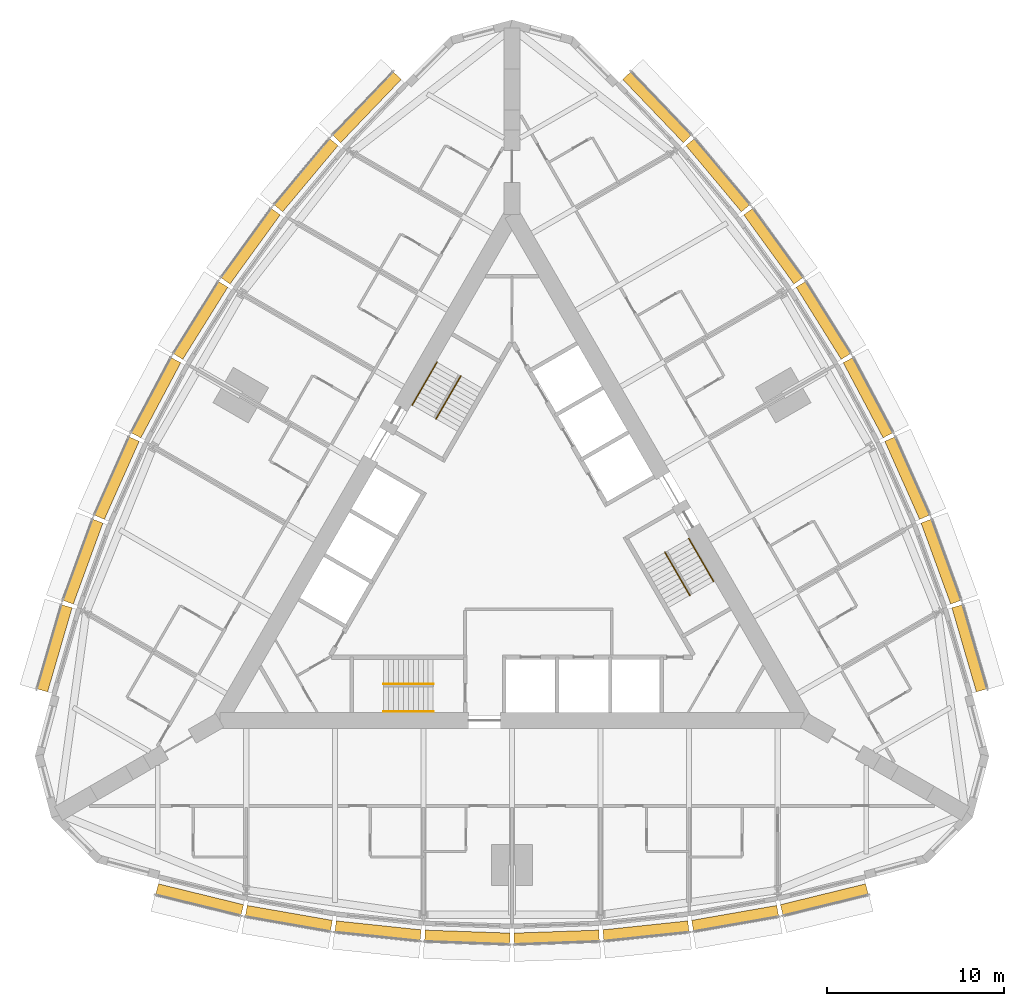
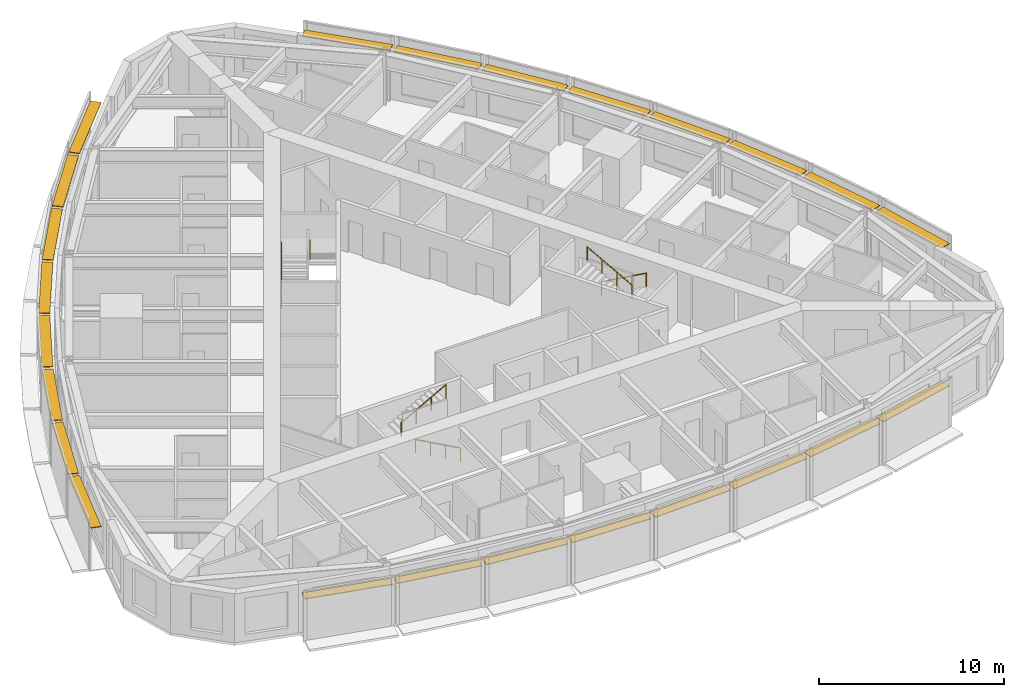
# One storey, part 14 of 14: 24 shading devices, 6 railings.
"""IFC4 building model written with IfcOpenShell, lengths in metres."""

from ifc_helpers import new_model, si_unit, direction, frame, origin, origin_2d, place, context, subcontext, project, spatial, rectangle, circle, extrude, material, type_object, element, save


model = new_model("IFC4")

# Units and contexts
model_context = context("Model", 3, precision=1e-05, world=origin(), true_north=direction((0.0, 1.0)))
body_context = subcontext(model_context, "Body", "Model", "MODEL_VIEW")
ifc_project = project(units=[si_unit("LENGTHUNIT", "METRE"), si_unit("AREAUNIT", "SQUARE_METRE"), si_unit("VOLUMEUNIT", "CUBIC_METRE"), si_unit("PLANEANGLEUNIT", "RADIAN"), si_unit("MASSUNIT", "GRAM", prefix="KILO")], contexts=[model_context])

# Site, building, storey
site_placement = place(None, origin())
site = spatial("IfcSite", under=ifc_project, at=site_placement, CompositionType="ELEMENT")
building_placement = place(site_placement, origin())
building = spatial("IfcBuilding", under=site, at=building_placement, Name="Trikona Tower", CompositionType="ELEMENT")
storey_placement = place(building_placement, frame((0.0, 0.0, 128.300048828125)))
storey = spatial("IfcBuildingStorey", under=building, at=storey_placement, Name="L33", CompositionType="ELEMENT", Elevation=128.300048828125)

# Shading devices
ifc_material_1 = material(Name="Aluminium louvre blade, pale anodised", Category="aluminium")
shading_device_type = type_object("IfcShadingDeviceType", Name="Cavity louvre 600", PredefinedType="USERDEFINED", material=ifc_material_1)
shading_device_1_placement = place(storey_placement, frame((-17.63330078125, -19.631591796875, 2.77490234375), z_axis=(0.0, 0.0, 1.0), x_axis=(0.971274411564, -0.237962218516, 0.0)))
element("IfcShadingDevice", 1, at=shading_device_1_placement, inside=storey, type_object=shading_device_type, Name="Cavity louvre L33-00", ObjectType="LOUVRE", PredefinedType="USERDEFINED", context=body_context, shape_type="SweptSolid", body=[
    extrude(rectangle(XDim=4.947998046875, YDim=0.60009765625, at=origin_2d()), origin(), (0.0, 0.0, 1.0), 0.050048828125),
])
shading_device_2_placement = place(storey_placement, frame((-12.596435546875, -20.689208984375, 2.77490234375), z_axis=(0.0, 0.0, 1.0), x_axis=(0.985030604067, -0.172379549401, 0.0)))
element("IfcShadingDevice", 2, at=shading_device_2_placement, inside=storey, type_object=shading_device_type, Name="Cavity louvre L33-01", ObjectType="LOUVRE", PredefinedType="USERDEFINED", context=body_context, shape_type="SweptSolid", body=[
    extrude(rectangle(XDim=4.8759765625, YDim=0.60009765625, at=origin_2d()), origin(), (0.0, 0.0, 1.0), 0.050048828125),
])
shading_device_3_placement = place(storey_placement, frame((-7.55859375, -21.39453125, 2.77490234375), z_axis=(0.0, 0.0, 1.0), x_axis=(0.994532653854, -0.104426052392, 0.0)))
element("IfcShadingDevice", 3, at=shading_device_3_placement, inside=storey, type_object=shading_device_type, Name="Cavity louvre L33-02", ObjectType="LOUVRE", PredefinedType="USERDEFINED", context=body_context, shape_type="SweptSolid", body=[
    extrude(rectangle(XDim=4.827392578125, YDim=0.60009765625, at=origin_2d()), origin(), (0.0, 0.0, 1.0), 0.050048828125),
])
for number, where, z_axis, x_axis, name in (
    (4, (-2.51953125, -21.747314453125, 2.77490234375), (0.0, 0.0, 1.0), (0.999388082937, -0.034977988567, 0.0), "Cavity louvre L33-03"),
    (5, (2.51953125, -21.747314453125, 2.77490234375), (0.0, 0.0, 1.0), (0.999388082937, 0.034977988567, 0.0), "Cavity louvre L33-04"),
):
    element("IfcShadingDevice", number, at=place(storey_placement, frame(where, z_axis=z_axis, x_axis=x_axis)), inside=storey, type_object=shading_device_type, Name=name, ObjectType="LOUVRE", PredefinedType="USERDEFINED", context=body_context, shape_type="SweptSolid", body=[
        extrude(rectangle(XDim=4.802978515625, YDim=0.60009765625, at=origin_2d()), origin(), (0.0, 0.0, 1.0), 0.050048828125),
    ])
shading_device_4_placement = place(storey_placement, frame((7.55859375, -21.39453125, 2.77490234375), z_axis=(0.0, 0.0, 1.0), x_axis=(0.994532653854, 0.104426052392, 0.0)))
element("IfcShadingDevice", 6, at=shading_device_4_placement, inside=storey, type_object=shading_device_type, Name="Cavity louvre L33-05", ObjectType="LOUVRE", PredefinedType="USERDEFINED", context=body_context, shape_type="SweptSolid", body=[
    extrude(rectangle(XDim=4.827392578125, YDim=0.60009765625, at=origin_2d()), origin(), (0.0, 0.0, 1.0), 0.050048828125),
])
shading_device_5_placement = place(storey_placement, frame((12.596435546875, -20.689208984375, 2.77490234375), z_axis=(0.0, 0.0, 1.0), x_axis=(0.985030604067, 0.172379549401, 0.0)))
element("IfcShadingDevice", 7, at=shading_device_5_placement, inside=storey, type_object=shading_device_type, Name="Cavity louvre L33-06", ObjectType="LOUVRE", PredefinedType="USERDEFINED", context=body_context, shape_type="SweptSolid", body=[
    extrude(rectangle(XDim=4.8759765625, YDim=0.60009765625, at=origin_2d()), origin(), (0.0, 0.0, 1.0), 0.050048828125),
])
shading_device_6_placement = place(storey_placement, frame((17.63330078125, -19.631591796875, 2.77490234375), z_axis=(0.0, 0.0, 1.0), x_axis=(0.971274411564, 0.237962218516, 0.0)))
element("IfcShadingDevice", 8, at=shading_device_6_placement, inside=storey, type_object=shading_device_type, Name="Cavity louvre L33-07", ObjectType="LOUVRE", PredefinedType="USERDEFINED", context=body_context, shape_type="SweptSolid", body=[
    extrude(rectangle(XDim=4.947998046875, YDim=0.60009765625, at=origin_2d()), origin(), (0.0, 0.0, 1.0), 0.050048828125),
])
shading_device_7_placement = place(storey_placement, frame((25.818115234375, -5.455078125, 2.77490234375), z_axis=(0.0, 0.0, 1.0), x_axis=(-0.279554203664, 0.960129911634, 0.0)))
element("IfcShadingDevice", 9, at=shading_device_7_placement, inside=storey, type_object=shading_device_type, Name="Cavity louvre L33-12", ObjectType="LOUVRE", PredefinedType="USERDEFINED", context=body_context, shape_type="SweptSolid", body=[
    extrude(rectangle(XDim=4.94775390625, YDim=0.60009765625, at=origin_2d()), origin(), (0.0, 0.0, 1.0), 0.050048828125),
])
shading_device_8_placement = place(storey_placement, frame((24.2158203125, -0.564208984375, 2.77490234375), z_axis=(0.0, 0.0, 1.0), x_axis=(-0.343220397324, 0.939254895575, 0.0)))
element("IfcShadingDevice", 10, at=shading_device_8_placement, inside=storey, type_object=shading_device_type, Name="Cavity louvre L33-13", ObjectType="LOUVRE", PredefinedType="USERDEFINED", context=body_context, shape_type="SweptSolid", body=[
    extrude(rectangle(XDim=4.8759765625, YDim=0.60009765625, at=origin_2d()), origin(), (0.0, 0.0, 1.0), 0.050048828125),
])
shading_device_9_placement = place(storey_placement, frame((22.3076171875, 4.151611328125, 2.77490234375), z_axis=(0.0, 0.0, 1.0), x_axis=(-0.406843467615, 0.913497888809, 0.0)))
element("IfcShadingDevice", 11, at=shading_device_9_placement, inside=storey, type_object=shading_device_type, Name="Cavity louvre L33-14", ObjectType="LOUVRE", PredefinedType="USERDEFINED", context=body_context, shape_type="SweptSolid", body=[
    extrude(rectangle(XDim=4.827392578125, YDim=0.60009765625, at=origin_2d()), origin(), (0.0, 0.0, 1.0), 0.050048828125),
])
for number, where, z_axis, x_axis, name in (
    (12, (20.093505859375, 8.691650390625, 2.77490234375), (0.0, 0.0, 1.0), (-0.469397591494, 0.882986920118, 0.0), "Cavity louvre L33-15"),
    (13, (17.573974609375, 13.0556640625, 2.77490234375), (0.0, 0.0, 1.0), (-0.529994748414, 0.848000923734, 0.0), "Cavity louvre L33-16"),
):
    element("IfcShadingDevice", number, at=place(storey_placement, frame(where, z_axis=z_axis, x_axis=x_axis)), inside=storey, type_object=shading_device_type, Name=name, ObjectType="LOUVRE", PredefinedType="USERDEFINED", context=body_context, shape_type="SweptSolid", body=[
        extrude(rectangle(XDim=4.802978515625, YDim=0.60009765625, at=origin_2d()), origin(), (0.0, 0.0, 1.0), 0.050048828125),
    ])
shading_device_10_placement = place(storey_placement, frame((14.7490234375, 17.2431640625, 2.77490234375), z_axis=(0.0, 0.0, 1.0), x_axis=(-0.587686407834, 0.809088799853, 0.0)))
element("IfcShadingDevice", 14, at=shading_device_10_placement, inside=storey, type_object=shading_device_type, Name="Cavity louvre L33-17", ObjectType="LOUVRE", PredefinedType="USERDEFINED", context=body_context, shape_type="SweptSolid", body=[
    extrude(rectangle(XDim=4.827392578125, YDim=0.60009765625, at=origin_2d()), origin(), (0.0, 0.0, 1.0), 0.050048828125),
])
shading_device_11_placement = place(storey_placement, frame((11.619140625, 21.253662109375, 2.77490234375), z_axis=(0.0, 0.0, 1.0), x_axis=(-0.641807063101, 0.766866151133, 0.0)))
element("IfcShadingDevice", 15, at=shading_device_11_placement, inside=storey, type_object=shading_device_type, Name="Cavity louvre L33-18", ObjectType="LOUVRE", PredefinedType="USERDEFINED", context=body_context, shape_type="SweptSolid", body=[
    extrude(rectangle(XDim=4.8759765625, YDim=0.60009765625, at=origin_2d()), origin(), (0.0, 0.0, 1.0), 0.050048828125),
])
for number, where, z_axis, x_axis, name in (
    (16, (8.184814453125, 25.086669921875, 2.77490234375), (0.0, 0.0, 1.0), (-0.691723573819, 0.722162376078, 0.0), "Cavity louvre L33-19"),
    (17, (-8.184814453125, 25.086669921875, 2.77490234375), (0.0, 0.0, 1.0), (-0.691723573819, -0.722162376078, 0.0), "Cavity louvre L33-24"),
):
    element("IfcShadingDevice", number, at=place(storey_placement, frame(where, z_axis=z_axis, x_axis=x_axis)), inside=storey, type_object=shading_device_type, Name=name, ObjectType="LOUVRE", PredefinedType="USERDEFINED", context=body_context, shape_type="SweptSolid", body=[
        extrude(rectangle(XDim=4.947998046875, YDim=0.60009765625, at=origin_2d()), origin(), (0.0, 0.0, 1.0), 0.050048828125),
    ])
shading_device_12_placement = place(storey_placement, frame((-11.619140625, 21.253662109375, 2.77490234375), z_axis=(0.0, 0.0, 1.0), x_axis=(-0.641807063101, -0.766866151133, 0.0)))
element("IfcShadingDevice", 18, at=shading_device_12_placement, inside=storey, type_object=shading_device_type, Name="Cavity louvre L33-25", ObjectType="LOUVRE", PredefinedType="USERDEFINED", context=body_context, shape_type="SweptSolid", body=[
    extrude(rectangle(XDim=4.8759765625, YDim=0.60009765625, at=origin_2d()), origin(), (0.0, 0.0, 1.0), 0.050048828125),
])
shading_device_13_placement = place(storey_placement, frame((-14.7490234375, 17.2431640625, 2.77490234375), z_axis=(0.0, 0.0, 1.0), x_axis=(-0.587686407834, -0.809088799853, 0.0)))
element("IfcShadingDevice", 19, at=shading_device_13_placement, inside=storey, type_object=shading_device_type, Name="Cavity louvre L33-26", ObjectType="LOUVRE", PredefinedType="USERDEFINED", context=body_context, shape_type="SweptSolid", body=[
    extrude(rectangle(XDim=4.827392578125, YDim=0.60009765625, at=origin_2d()), origin(), (0.0, 0.0, 1.0), 0.050048828125),
])
for number, where, z_axis, x_axis, name in (
    (20, (-17.573974609375, 13.0556640625, 2.77490234375), (0.0, 0.0, 1.0), (-0.529994748414, -0.848000923734, 0.0), "Cavity louvre L33-27"),
    (21, (-20.093505859375, 8.691650390625, 2.77490234375), (0.0, 0.0, 1.0), (-0.469397591494, -0.882986920118, 0.0), "Cavity louvre L33-28"),
):
    element("IfcShadingDevice", number, at=place(storey_placement, frame(where, z_axis=z_axis, x_axis=x_axis)), inside=storey, type_object=shading_device_type, Name=name, ObjectType="LOUVRE", PredefinedType="USERDEFINED", context=body_context, shape_type="SweptSolid", body=[
        extrude(rectangle(XDim=4.802978515625, YDim=0.60009765625, at=origin_2d()), origin(), (0.0, 0.0, 1.0), 0.050048828125),
    ])
shading_device_14_placement = place(storey_placement, frame((-22.3076171875, 4.151611328125, 2.77490234375), z_axis=(0.0, 0.0, 1.0), x_axis=(-0.406843467615, -0.913497888809, 0.0)))
element("IfcShadingDevice", 22, at=shading_device_14_placement, inside=storey, type_object=shading_device_type, Name="Cavity louvre L33-29", ObjectType="LOUVRE", PredefinedType="USERDEFINED", context=body_context, shape_type="SweptSolid", body=[
    extrude(rectangle(XDim=4.827392578125, YDim=0.60009765625, at=origin_2d()), origin(), (0.0, 0.0, 1.0), 0.050048828125),
])
shading_device_15_placement = place(storey_placement, frame((-24.2158203125, -0.564208984375, 2.77490234375), z_axis=(0.0, 0.0, 1.0), x_axis=(-0.343220397324, -0.939254895575, 0.0)))
element("IfcShadingDevice", 23, at=shading_device_15_placement, inside=storey, type_object=shading_device_type, Name="Cavity louvre L33-30", ObjectType="LOUVRE", PredefinedType="USERDEFINED", context=body_context, shape_type="SweptSolid", body=[
    extrude(rectangle(XDim=4.8759765625, YDim=0.60009765625, at=origin_2d()), origin(), (0.0, 0.0, 1.0), 0.050048828125),
])
shading_device_16_placement = place(storey_placement, frame((-25.818115234375, -5.455078125, 2.77490234375), z_axis=(0.0, 0.0, 1.0), x_axis=(-0.279554203664, -0.960129911634, 0.0)))
element("IfcShadingDevice", 24, at=shading_device_16_placement, inside=storey, type_object=shading_device_type, Name="Cavity louvre L33-31", ObjectType="LOUVRE", PredefinedType="USERDEFINED", context=body_context, shape_type="SweptSolid", body=[
    extrude(rectangle(XDim=4.94775390625, YDim=0.60009765625, at=origin_2d()), origin(), (0.0, 0.0, 1.0), 0.050048828125),
])

# Railings
ifc_material_2 = material(Name="Stainless steel handrail", Category="steel")
railing_type = type_object("IfcRailingType", Name="Stair handrail", PredefinedType="HANDRAIL", material=ifc_material_2)
railing_1_placement = place(storey_placement, frame((-4.449951171875, -9.016357421875, 0.154541015625)))
element("IfcRailing", 25, at=railing_1_placement, inside=storey, type_object=railing_type, Name="Stair handrail A L33 1", PredefinedType="HANDRAIL", context=body_context, shape_type="SweptSolid", body=[
    extrude(circle(Radius=0.02392578125, at=origin_2d()), frame((0.0, 0.0, 0.8759765625), z_axis=(-0.875504190374, 0.0, 0.483210526207), x_axis=(0.0, -1.0, 0.0)), (0.0, 0.0, 1.0), 3.1982421875),
    extrude(circle(Radius=0.02099609375, at=origin_2d()), origin(), (0.0, 0.0, 1.0), 0.851806640625),
    extrude(circle(Radius=0.02099609375, at=origin_2d()), frame((-0.933349609375, 0.0, 0.51513671875)), (0.0, 0.0, 1.0), 0.851806640625),
    extrude(circle(Radius=0.02099609375, at=origin_2d()), frame((-1.86669921875, 0.0, 1.0302734375)), (0.0, 0.0, 1.0), 0.851806640625),
    extrude(circle(Radius=0.02099609375, at=origin_2d()), frame((-2.800048828125, 0.0, 1.54541015625)), (0.0, 0.0, 1.0), 0.851806640625),
])
railing_2_placement = place(storey_placement, frame((-7.25, -7.46630859375, 1.8544921875)))
element("IfcRailing", 26, at=railing_2_placement, inside=storey, type_object=railing_type, Name="Stair handrail A L33 2", PredefinedType="HANDRAIL", context=body_context, shape_type="SweptSolid", body=[
    extrude(circle(Radius=0.02392578125, at=origin_2d()), frame((0.0, 0.0, 0.8759765625), z_axis=(0.875504190374, 0.0, 0.483210526207), x_axis=(0.0, 1.0, 0.0)), (0.0, 0.0, 1.0), 3.1982421875),
    extrude(circle(Radius=0.02099609375, at=origin_2d()), origin(), (0.0, 0.0, 1.0), 0.851806640625),
    extrude(circle(Radius=0.02099609375, at=origin_2d()), frame((0.933349609375, 0.0, 0.51513671875)), (0.0, 0.0, 1.0), 0.851806640625),
    extrude(circle(Radius=0.02099609375, at=origin_2d()), frame((1.86669921875, 0.0, 1.0302734375)), (0.0, 0.0, 1.0), 0.851806640625),
    extrude(circle(Radius=0.02099609375, at=origin_2d()), frame((2.800048828125, 0.0, 1.54541015625)), (0.0, 0.0, 1.0), 0.851806640625),
])
railing_3_placement = place(storey_placement, frame((9.9833984375, 0.740966796875, 0.154541015625)))
element("IfcRailing", 27, at=railing_3_placement, inside=storey, type_object=railing_type, Name="Stair handrail B L33 1", PredefinedType="HANDRAIL", context=body_context, shape_type="SweptSolid", body=[
    extrude(circle(Radius=0.02392578125, at=origin_2d()), frame((0.0, 0.0, 0.8759765625), z_axis=(0.437707188162, -0.758239536103, 0.483203087036), x_axis=(0.866056369097, 0.49994636267, 0.0)), (0.0, 0.0, 1.0), 3.1982421875),
    extrude(circle(Radius=0.02099609375, at=origin_2d()), origin(), (0.0, 0.0, 1.0), 0.851806640625),
    extrude(circle(Radius=0.02099609375, at=origin_2d()), frame((0.466552734375, -0.808349609375, 0.51513671875)), (0.0, 0.0, 1.0), 0.851806640625),
    extrude(circle(Radius=0.02099609375, at=origin_2d()), frame((0.933349609375, -1.61669921875, 1.0302734375)), (0.0, 0.0, 1.0), 0.851806640625),
    extrude(circle(Radius=0.02099609375, at=origin_2d()), frame((1.39990234375, -2.425048828125, 1.54541015625)), (0.0, 0.0, 1.0), 0.851806640625),
])
railing_4_placement = place(storey_placement, frame((10.041015625, -2.458984375, 1.8544921875)))
element("IfcRailing", 28, at=railing_4_placement, inside=storey, type_object=railing_type, Name="Stair handrail B L33 2", PredefinedType="HANDRAIL", context=body_context, shape_type="SweptSolid", body=[
    extrude(circle(Radius=0.02392578125, at=origin_2d()), frame((0.0, 0.0, 0.8759765625), z_axis=(-0.437707188162, 0.758239536103, 0.483203087036), x_axis=(-0.866056369097, -0.49994636267, 0.0)), (0.0, 0.0, 1.0), 3.1982421875),
    extrude(circle(Radius=0.02099609375, at=origin_2d()), origin(), (0.0, 0.0, 1.0), 0.851806640625),
    extrude(circle(Radius=0.02099609375, at=origin_2d()), frame((-0.466552734375, 0.808349609375, 0.51513671875)), (0.0, 0.0, 1.0), 0.851806640625),
    extrude(circle(Radius=0.02099609375, at=origin_2d()), frame((-0.933349609375, 1.61669921875, 1.0302734375)), (0.0, 0.0, 1.0), 0.851806640625),
    extrude(circle(Radius=0.02099609375, at=origin_2d()), frame((-1.39990234375, 2.425048828125, 1.54541015625)), (0.0, 0.0, 1.0), 0.851806640625),
])
railing_5_placement = place(storey_placement, frame((-5.63330078125, 8.275390625, 0.154541015625)))
element("IfcRailing", 29, at=railing_5_placement, inside=storey, type_object=railing_type, Name="Stair handrail C L33 1", PredefinedType="HANDRAIL", context=body_context, shape_type="SweptSolid", body=[
    extrude(circle(Radius=0.02392578125, at=origin_2d()), frame((0.0, 0.0, 0.8759765625), z_axis=(0.437732523806, 0.758207085183, 0.483231056102), x_axis=(-0.866034573852, 0.49998411664, 0.0)), (0.0, 0.0, 1.0), 3.197998046875),
    extrude(circle(Radius=0.02099609375, at=origin_2d()), origin(), (0.0, 0.0, 1.0), 0.851806640625),
    extrude(circle(Radius=0.02099609375, at=origin_2d()), frame((0.466552734375, 0.808349609375, 0.51513671875)), (0.0, 0.0, 1.0), 0.851806640625),
    extrude(circle(Radius=0.02099609375, at=origin_2d()), frame((0.933349609375, 1.616455078125, 1.0302734375)), (0.0, 0.0, 1.0), 0.851806640625),
    extrude(circle(Radius=0.02099609375, at=origin_2d()), frame((1.39990234375, 2.4248046875, 1.54541015625)), (0.0, 0.0, 1.0), 0.851806640625),
])
railing_6_placement = place(storey_placement, frame((-2.89111328125, 9.92529296875, 1.8544921875)))
element("IfcRailing", 30, at=railing_6_placement, inside=storey, type_object=railing_type, Name="Stair handrail C L33 2", PredefinedType="HANDRAIL", context=body_context, shape_type="SweptSolid", body=[
    extrude(circle(Radius=0.02392578125, at=origin_2d()), frame((0.0, 0.0, 0.8759765625), z_axis=(-0.437707188162, -0.758239536103, 0.483203087036), x_axis=(0.866056369097, -0.49994636267, 0.0)), (0.0, 0.0, 1.0), 3.1982421875),
    extrude(circle(Radius=0.02099609375, at=origin_2d()), origin(), (0.0, 0.0, 1.0), 0.851806640625),
    extrude(circle(Radius=0.02099609375, at=origin_2d()), frame((-0.466552734375, -0.808349609375, 0.51513671875)), (0.0, 0.0, 1.0), 0.851806640625),
    extrude(circle(Radius=0.02099609375, at=origin_2d()), frame((-0.933349609375, -1.61669921875, 1.0302734375)), (0.0, 0.0, 1.0), 0.851806640625),
    extrude(circle(Radius=0.02099609375, at=origin_2d()), frame((-1.39990234375, -2.425048828125, 1.54541015625)), (0.0, 0.0, 1.0), 0.851806640625),
])

save(model, "model.ifc")
